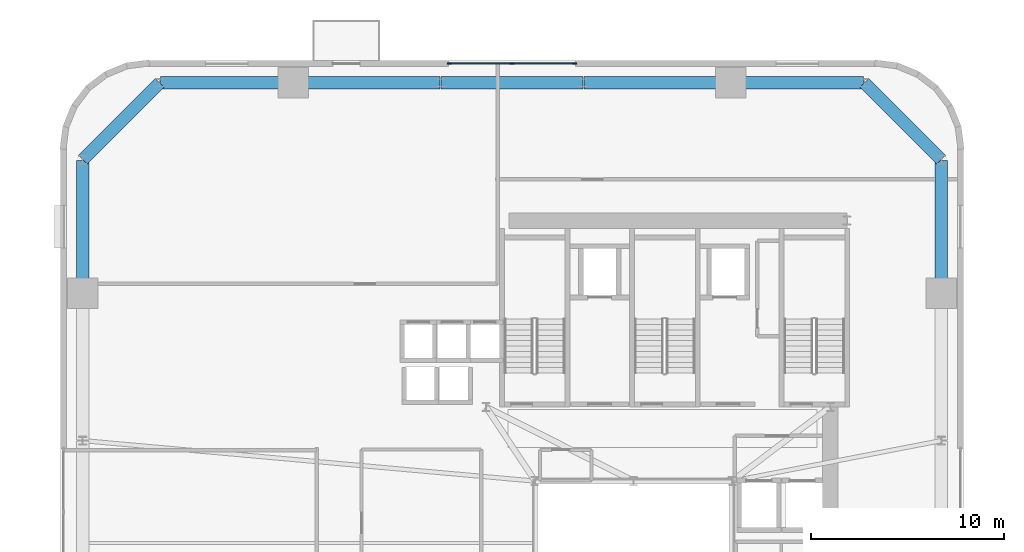
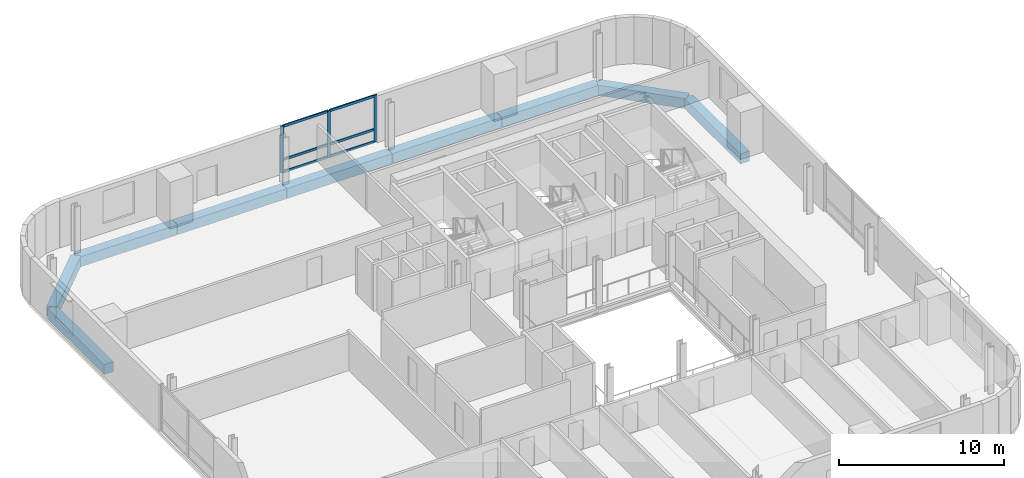
# One storey, part 4 of 14: 9 beams, 9 members, 1 element without a shape of its own.
"""IFC4 building model written with IfcOpenShell, lengths in metres."""

from ifc_helpers import new_model, si_unit, direction, frame, origin, origin_2d, place, context, subcontext, project, spatial, rectangle, extrude, source, transform, mapped, material, material_profile, profile_set, type_object, element, aggregate, save


model = new_model("IFC4")

# Units and contexts
model_context = context("Model", 3, precision=1e-05, world=origin(), true_north=direction((0.0, 1.0)))
body_context = subcontext(model_context, "Body", "Model", "MODEL_VIEW")
ifc_project = project(units=[si_unit("LENGTHUNIT", "METRE"), si_unit("AREAUNIT", "SQUARE_METRE"), si_unit("VOLUMEUNIT", "CUBIC_METRE"), si_unit("PLANEANGLEUNIT", "RADIAN"), si_unit("MASSUNIT", "GRAM", prefix="KILO")], contexts=[model_context])

# Site, building, storey
site_placement = place(None, origin())
site = spatial("IfcSite", under=ifc_project, at=site_placement, CompositionType="ELEMENT")
building_placement = place(site_placement, origin())
building = spatial("IfcBuilding", under=site, at=building_placement, Name="Vardaveli Station Tower", CompositionType="ELEMENT")
storey_placement = place(building_placement, frame((0.0, 0.0, 122.39990234375)))
storey = spatial("IfcBuildingStorey", under=building, at=storey_placement, Name="L31", CompositionType="ELEMENT", Elevation=122.39990234375)

# Beams
ifc_material_1 = material(Name="Precast concrete C45/55", Category="concrete")
ifc_material_profile_1 = material_profile(ifc_material_1, rectangle(XDim=0.64990234375, YDim=0.75, at=origin_2d()), Name="LPB 650x750")
ifc_profile_set_1 = profile_set([ifc_material_profile_1], Name="Precast concrete C45/55")
beam_type = type_object("IfcBeamType", Name="BM-LPB-750", PredefinedType="BEAM", material=ifc_profile_set_1)
shared_shape_1 = source(origin(), body_context, "Body", "SweptSolid", [
    extrude(rectangle(XDim=0.64990234375, YDim=0.75, at=origin_2d()), origin(), (0.0, 0.0, 1.0), 7.60009765625),
])
for number, where, z_axis, x_axis, name in (
    (1, (41.320068359375, 47.449951171875, -0.614990234375), (-1.0, 0.0, 0.0), (0.0, -1.0, 0.0), "RBM-L31-13"),
    (2, (26.280029296875, 47.449951171875, -0.614990234375), (-1.0, 0.0, 0.0), (0.0, -1.0, 0.0), "RBM-L31-15"),
):
    element("IfcBeam", number, at=place(storey_placement, frame(where, z_axis=z_axis, x_axis=x_axis)), inside=storey, type_object=beam_type, Name=name, PredefinedType="BEAM", context=body_context, shape_type="MappedRepresentation", body=[
        mapped(shared_shape_1, transform((0.0, 0.0, 0.0), scale=1.0)),
    ])
shared_shape_2 = source(origin(), body_context, "Body", "SweptSolid", [
    extrude(rectangle(XDim=0.64990234375, YDim=0.75, at=origin_2d()), origin(), (0.0, 0.0, 1.0), 7.35986328125),
])
beam_placement = place(storey_placement, frame((33.679931640625, 47.449951171875, -0.614990234375), z_axis=(-1.0, 0.0, 0.0), x_axis=(0.0, -1.0, 0.0)))
element("IfcBeam", 3, at=beam_placement, inside=storey, type_object=beam_type, Name="RBM-L31-14", PredefinedType="BEAM", context=body_context, shape_type="MappedRepresentation", body=[
    mapped(shared_shape_2, transform((0.0, 0.0, 0.0), scale=1.0)),
])
shared_shape_3 = source(origin(), body_context, "Body", "SweptSolid", [
    extrude(rectangle(XDim=0.64990234375, YDim=0.75, at=origin_2d()), origin(), (0.0, 0.0, 1.0), 6.869873046875),
])
for number, where, z_axis, x_axis, name in (
    (4, (52.25, 36.56005859375, -0.614990234375), (0.0, 1.0, 0.0), (-1.0, 0.0, 0.0), "RBM-L31-10"),
    (5, (48.22998046875, 47.449951171875, -0.614990234375), (-1.0, 0.0, 0.0), (0.0, -1.0, 0.0), "RBM-L31-12"),
    (6, (18.639892578125, 47.449951171875, -0.614990234375), (-1.0, 0.0, 0.0), (0.0, -1.0, 0.0), "RBM-L31-16"),
    (7, (7.75, 43.429931640625, -0.614990234375), (0.0, -1.0, 0.0), (1.0, 0.0, 0.0), "RBM-L31-18"),
):
    element("IfcBeam", number, at=place(storey_placement, frame(where, z_axis=z_axis, x_axis=x_axis)), inside=storey, type_object=beam_type, Name=name, PredefinedType="BEAM", context=body_context, shape_type="MappedRepresentation", body=[
        mapped(shared_shape_3, transform((0.0, 0.0, 0.0), scale=1.0)),
    ])
shared_shape_4 = source(origin(), body_context, "Body", "SweptSolid", [
    extrude(rectangle(XDim=0.64990234375, YDim=0.75, at=origin_2d()), origin(), (0.0, 0.0, 1.0), 5.61669921875),
])
for number, where, z_axis, x_axis, name in (
    (8, (52.23583984375, 43.464111328125, -0.614990234375), (-0.707106781187, 0.707106781187, 0.0), (-0.707106781187, -0.707106781187, 0.0), "RBM-L31-11"),
    (9, (11.73583984375, 47.435791015625, -0.614990234375), (-0.707106781187, -0.707106781187, 0.0), (0.707106781187, -0.707106781187, 0.0), "RBM-L31-17"),
):
    element("IfcBeam", number, at=place(storey_placement, frame(where, z_axis=z_axis, x_axis=x_axis)), inside=storey, type_object=beam_type, Name=name, PredefinedType="BEAM", context=body_context, shape_type="MappedRepresentation", body=[
        mapped(shared_shape_4, transform((0.0, 0.0, 0.0), scale=1.0)),
    ])

# Curtain wall, members
ifc_material_2 = material(Name="Travertine stone and solar-control glass", Category="masonry")
curtain_wall_type = type_object("IfcCurtainWallType", Name="CW-SYS-2", PredefinedType="NOTDEFINED", material=ifc_material_2)
curtain_wall_placement = place(storey_placement, origin())
curtain_wall = element("IfcCurtainWall", 10, at=curtain_wall_placement, inside=storey, type_object=curtain_wall_type, Name="CW-L31-N", PredefinedType="NOTDEFINED")
ifc_material_3 = material(Name="Anodised aluminium alloy 6063-T6", Category="aluminium")
ifc_material_profile_2 = material_profile(ifc_material_3, rectangle(XDim=0.0849609375, YDim=0.179931640625, at=origin_2d()), Name="CWT 85x180")
ifc_profile_set_2 = profile_set([ifc_material_profile_2], Name="Anodised aluminium alloy 6063-T6")
member_type_1 = type_object("IfcMemberType", Name="CW-SYS-2-TRAN", PredefinedType="NOTDEFINED", material=ifc_profile_set_2)
shared_shape_5 = source(origin(), body_context, "Body", "SweptSolid", [
    extrude(rectangle(XDim=0.0849609375, YDim=0.179931640625, at=origin_2d()), origin(), (0.0, 0.0, 1.0), 3.172607421875),
])
member_1_placement = place(storey_placement, frame((33.215087890625, 48.43994140625, 0.04248046875), z_axis=(-1.0, 0.0, 0.0), x_axis=(0.0, -1.0, 0.0)))
member_1 = element("IfcMember", 11, at=member_1_placement, type_object=member_type_1, Name="CW-2 transom 1.1", ObjectType="TRANSOM", PredefinedType="USERDEFINED", context=body_context, shape_type="MappedRepresentation", body=[
    mapped(shared_shape_5, transform((0.0, 0.0, 0.0), scale=1.0)),
])
member_2_placement = place(storey_placement, frame((33.215087890625, 48.43994140625, 0.9501953125), z_axis=(-1.0, 0.0, 0.0), x_axis=(0.0, -1.0, 0.0)))
member_2 = element("IfcMember", 12, at=member_2_placement, type_object=member_type_1, Name="CW-2 transom 1.2", ObjectType="TRANSOM", PredefinedType="USERDEFINED", context=body_context, shape_type="MappedRepresentation", body=[
    mapped(shared_shape_5, transform((0.0, 0.0, 0.0), scale=1.0)),
])
member_3_placement = place(storey_placement, frame((33.215087890625, 48.43994140625, 3.41748046875), z_axis=(-1.0, 0.0, 0.0), x_axis=(0.0, -1.0, 0.0)))
member_3 = element("IfcMember", 13, at=member_3_placement, type_object=member_type_1, Name="CW-2 transom 1.3", ObjectType="TRANSOM", PredefinedType="USERDEFINED", context=body_context, shape_type="MappedRepresentation", body=[
    mapped(shared_shape_5, transform((0.0, 0.0, 0.0), scale=1.0)),
])
member_4_placement = place(storey_placement, frame((29.95751953125, 48.43994140625, 0.04248046875), z_axis=(-1.0, 0.0, 0.0), x_axis=(0.0, -1.0, 0.0)))
member_4 = element("IfcMember", 14, at=member_4_placement, type_object=member_type_1, Name="CW-2 transom 2.1", ObjectType="TRANSOM", PredefinedType="USERDEFINED", context=body_context, shape_type="MappedRepresentation", body=[
    mapped(shared_shape_5, transform((0.0, 0.0, 0.0), scale=1.0)),
])
member_5_placement = place(storey_placement, frame((29.95751953125, 48.43994140625, 0.9501953125), z_axis=(-1.0, 0.0, 0.0), x_axis=(0.0, -1.0, 0.0)))
member_5 = element("IfcMember", 15, at=member_5_placement, type_object=member_type_1, Name="CW-2 transom 2.2", ObjectType="TRANSOM", PredefinedType="USERDEFINED", context=body_context, shape_type="MappedRepresentation", body=[
    mapped(shared_shape_5, transform((0.0, 0.0, 0.0), scale=1.0)),
])
member_6_placement = place(storey_placement, frame((29.95751953125, 48.43994140625, 3.41748046875), z_axis=(-1.0, 0.0, 0.0), x_axis=(0.0, -1.0, 0.0)))
member_6 = element("IfcMember", 16, at=member_6_placement, type_object=member_type_1, Name="CW-2 transom 2.3", ObjectType="TRANSOM", PredefinedType="USERDEFINED", context=body_context, shape_type="MappedRepresentation", body=[
    mapped(shared_shape_5, transform((0.0, 0.0, 0.0), scale=1.0)),
])
ifc_material_profile_3 = material_profile(ifc_material_3, rectangle(XDim=0.0849609375, YDim=0.219970703125, at=origin_2d()), Name="CWM 85x220")
ifc_profile_set_3 = profile_set([ifc_material_profile_3], Name="Anodised aluminium alloy 6063-T6")
member_type_2 = type_object("IfcMemberType", Name="CW-SYS-2-MULL", PredefinedType="MULLION", material=ifc_profile_set_3)
shared_shape_6 = source(origin(), body_context, "Body", "SweptSolid", [
    extrude(rectangle(XDim=0.0849609375, YDim=0.219970703125, at=origin_2d()), origin(), (0.0, 0.0, 1.0), 3.460205078125),
])
member_7_placement = place(storey_placement, frame((33.257568359375, 48.43994140625, 0.0), z_axis=(0.0, 0.0, 1.0), x_axis=(0.0, -1.0, 0.0)))
member_7 = element("IfcMember", 17, at=member_7_placement, type_object=member_type_2, Name="CW-2 mullion 1", PredefinedType="MULLION", context=body_context, shape_type="MappedRepresentation", body=[
    mapped(shared_shape_6, transform((0.0, 0.0, 0.0), scale=1.0)),
])
member_8_placement = place(storey_placement, frame((30.0, 48.43994140625, 0.0), z_axis=(0.0, 0.0, 1.0), x_axis=(0.0, -1.0, 0.0)))
member_8 = element("IfcMember", 18, at=member_8_placement, type_object=member_type_2, Name="CW-2 mullion 2", PredefinedType="MULLION", context=body_context, shape_type="MappedRepresentation", body=[
    mapped(shared_shape_6, transform((0.0, 0.0, 0.0), scale=1.0)),
])
member_9_placement = place(storey_placement, frame((26.742431640625, 48.43994140625, 0.0), z_axis=(0.0, 0.0, 1.0), x_axis=(0.0, -1.0, 0.0)))
member_9 = element("IfcMember", 19, at=member_9_placement, type_object=member_type_2, Name="CW-2 mullion 3", PredefinedType="MULLION", context=body_context, shape_type="MappedRepresentation", body=[
    mapped(shared_shape_6, transform((0.0, 0.0, 0.0), scale=1.0)),
])
aggregate(curtain_wall, [member_7, member_8, member_9, member_1, member_2, member_3, member_4, member_5, member_6])

save(model, "model.ifc")
